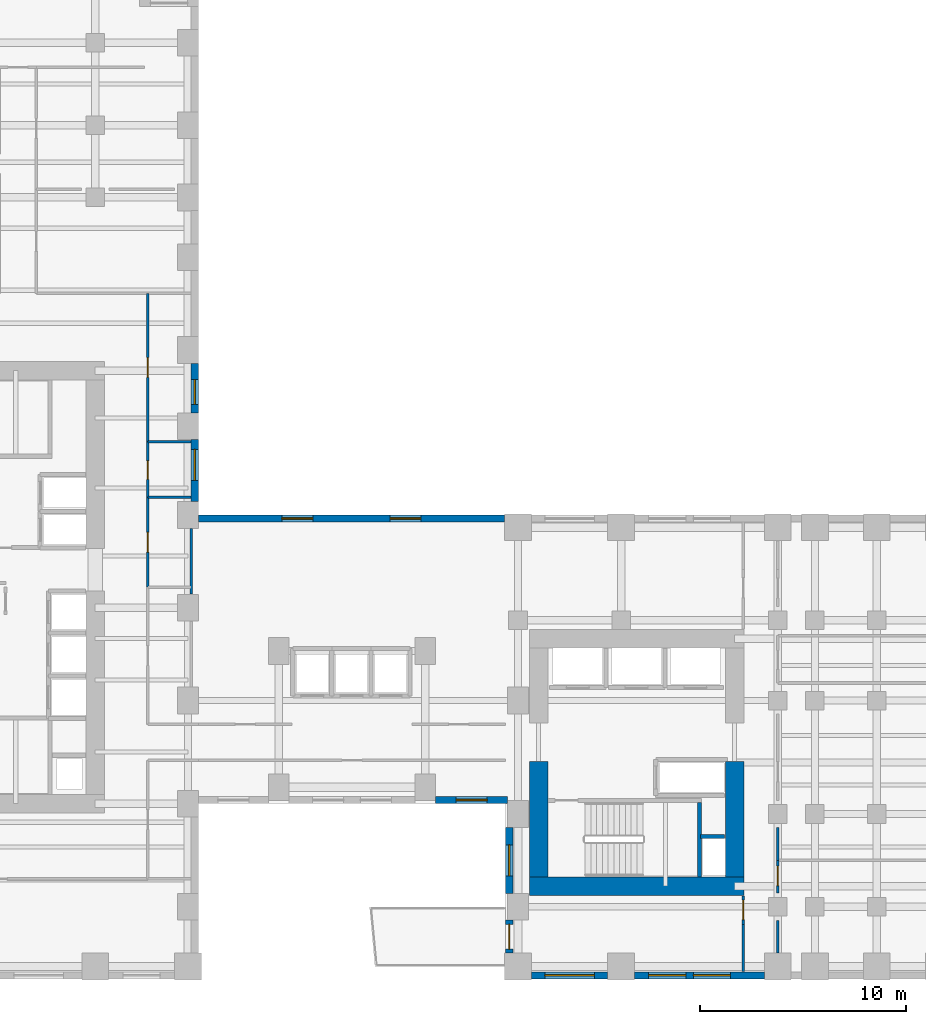
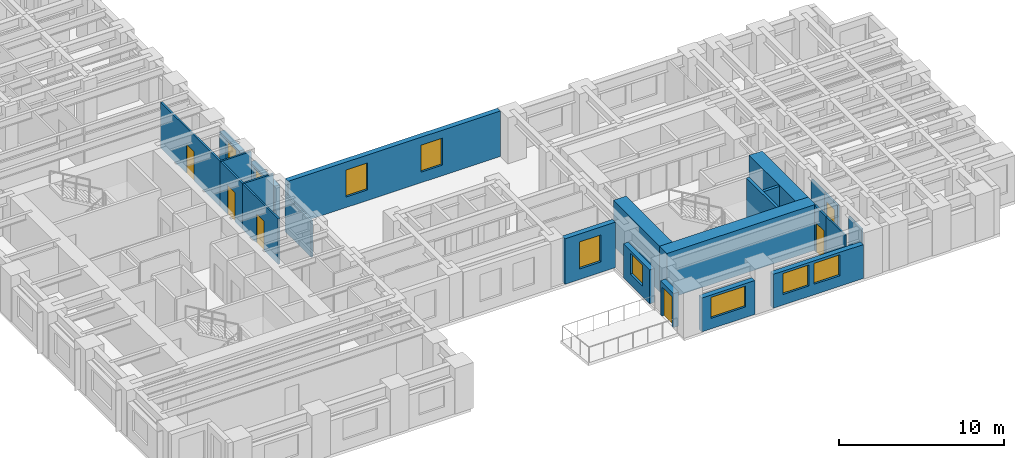
# One storey, part 6 of 12: 24 walls, 9 windows, 6 doors, 15 openings.
"""IFC4 building model written with IfcOpenShell, lengths in metres."""

from ifc_helpers import new_model, si_unit, direction, frame, frame_2d, origin, place, context, subcontext, project, spatial, rectangle, extrude, source, transform, mapped, material, layer, layer_set, type_object, element, fill, save


model = new_model("IFC4")

# Units and contexts
model_context = context("Model", 3, precision=1e-05, world=origin(), true_north=direction((0.0, 1.0)))
body_context = subcontext(model_context, "Body", "Model", "MODEL_VIEW")
ifc_project = project(units=[si_unit("LENGTHUNIT", "METRE"), si_unit("AREAUNIT", "SQUARE_METRE"), si_unit("VOLUMEUNIT", "CUBIC_METRE"), si_unit("PLANEANGLEUNIT", "RADIAN"), si_unit("MASSUNIT", "GRAM", prefix="KILO")], contexts=[model_context])

# Site, building, storey
site_placement = place(None, origin())
site = spatial("IfcSite", under=ifc_project, at=site_placement, CompositionType="ELEMENT")
building_placement = place(site_placement, origin())
building = spatial("IfcBuilding", under=site, at=building_placement, Name="Kharzan Plaza Tower", CompositionType="ELEMENT")
storey_placement = place(building_placement, frame((0.0, 0.0, 33.300048828125)))
storey = spatial("IfcBuildingStorey", under=building, at=storey_placement, Name="L08", CompositionType="ELEMENT", Elevation=33.300048828125)

# Wall, opening, window
ifc_material_1 = material(Name="Concrete C40/50", Category="concrete")
ifc_layer_1 = layer(ifc_material_1, 0.35009765625)
ifc_layer_set_1 = layer_set([ifc_layer_1], Name="Concrete C40/50")
wall_type_1 = type_object("IfcWallType", Name="WL-EXT-MAS-Z1", PredefinedType="SOLIDWALL", material=ifc_layer_set_1)
wall_1_placement = place(storey_placement, frame((30.998046875, 8.675048828125, 0.0), z_axis=(0.0, 0.0, 1.0), x_axis=(1.0, 0.0, 0.0)))
wall_1 = element("IfcWall", 1, at=wall_1_placement, inside=storey, type_object=wall_type_1, Name="L08 Masonry-Frame Exterior Wall 30", PredefinedType="SOLIDWALL", context=body_context, shape_type="SweptSolid", body=[
    extrude(rectangle(XDim=3.50390625, YDim=0.35009765625, at=frame_2d((1.751953125, 0.0))), origin(), (0.0, 0.0, 1.0), 3.364990234375),
])
opening_1_placement = place(wall_1_placement, frame((1.001953125, 0.0, 0.780029296875)))
opening_1 = element("IfcOpeningElement", 2, at=opening_1_placement, cuts=wall_1, Name="Opening W5", PredefinedType="OPENING", context=body_context, shape_type="SweptSolid", body=[
    extrude(rectangle(XDim=1.5, YDim=2.0, at=frame_2d((0.75, 1.0))), frame((0.0, 0.18505859375, 0.0), z_axis=(0.0, -1.0, 0.0), x_axis=(1.0, 0.0, 0.0)), (0.0, 0.0, 1.0), 0.3701171875),
])
ifc_material_2 = material(Name="Low-E Double Glazing", Category="glass")
window_type_1 = type_object("IfcWindowType", Name="WN-SLT-1500x2000", PartitioningType="SINGLE_PANEL", PredefinedType="WINDOW", material=ifc_material_2)
shared_shape_1 = source(origin(), body_context, "Body", "SweptSolid", [
    extrude(rectangle(XDim=1.5, YDim=2.0, at=frame_2d((0.75, 1.0))), frame((0.0, 0.030029296875, 0.0), z_axis=(0.0, -1.0, 0.0), x_axis=(1.0, 0.0, 0.0)), (0.0, 0.0, 1.0), 0.06005859375),
])
window_1_placement = place(opening_1_placement, origin())
window_1 = element("IfcWindow", 3, at=window_1_placement, inside=storey, type_object=window_type_1, Name="L08 Recessed Solar-Control Window 30-1", OverallHeight=2.0, OverallWidth=1.5, PartitioningType="SINGLE_PANEL", PredefinedType="WINDOW", context=body_context, shape_type="MappedRepresentation", body=[
    mapped(shared_shape_1, transform((0.0, 0.0, 0.0), x_axis=(1.0, 0.0, 0.0), y_axis=(0.0, 1.0, 0.0), z_axis=(0.0, 0.0, 1.0))),
])
fill(opening_1, window_1)

wall_2_placement = place(storey_placement, frame((34.574951171875, 7.35205078125, 0.0), z_axis=(0.0, 0.0, 1.0), x_axis=(0.0, -1.0, 0.0)))
wall_2 = element("IfcWall", 4, at=wall_2_placement, inside=storey, type_object=wall_type_1, Name="L08 Masonry-Frame Exterior Wall 31", PredefinedType="SOLIDWALL", context=body_context, shape_type="SweptSolid", body=[
    extrude(rectangle(XDim=3.2041015625, YDim=0.35009765625, at=frame_2d((1.60205078125, 0.0))), origin(), (0.0, 0.0, 1.0), 2.510009765625),
])
opening_2_placement = place(wall_2_placement, frame((0.85205078125, 0.0, 0.780029296875)))
opening_2 = element("IfcOpeningElement", 5, at=opening_2_placement, cuts=wall_2, Name="Opening W5", PredefinedType="OPENING", context=body_context, shape_type="SweptSolid", body=[
    extrude(rectangle(XDim=1.5, YDim=1.550048828125, at=frame_2d((0.75, 0.77490234375))), frame((0.0, 0.18505859375, 0.0), z_axis=(0.0, -1.0, 0.0), x_axis=(1.0, 0.0, 0.0)), (0.0, 0.0, 1.0), 0.3701171875),
])
shared_shape_2 = source(origin(), body_context, "Body", "SweptSolid", [
    extrude(rectangle(XDim=1.5, YDim=1.550048828125, at=frame_2d((0.75, 0.77490234375))), frame((0.0, 0.030029296875, 0.0), z_axis=(0.0, -1.0, 0.0), x_axis=(1.0, 0.0, 0.0)), (0.0, 0.0, 1.0), 0.06005859375),
])
window_2_placement = place(opening_2_placement, origin())
window_2 = element("IfcWindow", 6, at=window_2_placement, inside=storey, type_object=window_type_1, Name="L08 Recessed Solar-Control Window 31-1", OverallHeight=1.550048828125, OverallWidth=1.5, PartitioningType="SINGLE_PANEL", PredefinedType="WINDOW", context=body_context, shape_type="MappedRepresentation", body=[
    mapped(shared_shape_2, transform((0.0, 0.0, 0.0), x_axis=(1.0, 0.0, 0.0), y_axis=(0.0, 1.0, 0.0), z_axis=(0.0, 0.0, 1.0))),
])
fill(opening_2, window_2)

# Wall, opening, door
wall_3_placement = place(storey_placement, frame((34.574951171875, 2.85205078125, 0.0), z_axis=(0.0, 0.0, 1.0), x_axis=(0.0, -1.0, 0.0)))
wall_3 = element("IfcWall", 7, at=wall_3_placement, inside=storey, type_object=wall_type_1, Name="L08 Masonry-Frame Exterior Wall 32", PredefinedType="SOLIDWALL", context=body_context, shape_type="SweptSolid", body=[
    extrude(rectangle(XDim=1.60400390625, YDim=0.35009765625, at=frame_2d((0.802001953125, 0.0))), origin(), (0.0, 0.0, 1.0), 2.510009765625),
])
opening_3_placement = place(wall_3_placement, frame((0.201904296875, 0.0, 0.0)))
opening_3 = element("IfcOpeningElement", 8, at=opening_3_placement, cuts=wall_3, Name="Opening ED3", PredefinedType="OPENING", context=body_context, shape_type="SweptSolid", body=[
    extrude(rectangle(XDim=1.199951171875, YDim=2.14990234375, at=frame_2d((0.60009765625, 1.074951171875))), frame((0.0, 0.18505859375, 0.0), z_axis=(0.0, -1.0, 0.0), x_axis=(1.0, 0.0, 0.0)), (0.0, 0.0, 1.0), 0.3701171875),
])
ifc_material_3 = material(Name="Thermally Broken Anodized Bronze Aluminium", Category="aluminium")
door_type_1 = type_object("IfcDoorType", Name="DR-EXT-TRAY-1200", OperationType="SINGLE_SWING_LEFT", PredefinedType="DOOR", material=ifc_material_3)
shared_shape_3 = source(origin(), body_context, "Body", "SweptSolid", [
    extrude(rectangle(XDim=1.199951171875, YDim=2.14990234375, at=frame_2d((0.60009765625, 1.074951171875))), frame((0.0, 0.02490234375, 0.0), z_axis=(0.0, -1.0, 0.0), x_axis=(1.0, 0.0, 0.0)), (0.0, 0.0, 1.0), 0.050048828125),
])
door_1_placement = place(opening_3_placement, frame((1.199951171875, 0.0, 0.0), z_axis=(0.0, 0.0, 1.0), x_axis=(-1.0, 0.0, 0.0)))
door_1 = element("IfcDoor", 9, at=door_1_placement, inside=storey, type_object=door_type_1, Name="L08 Cantilevered Sky-Terrace Tray Access Door", OperationType="SINGLE_SWING_LEFT", OverallHeight=2.14990234375, OverallWidth=1.199951171875, PredefinedType="DOOR", context=body_context, shape_type="MappedRepresentation", body=[
    mapped(shared_shape_3, transform((0.0, 0.0, 0.0), x_axis=(1.0, 0.0, 0.0), y_axis=(0.0, 1.0, 0.0), z_axis=(0.0, 0.0, 1.0))),
])
fill(opening_3, door_1)

# Wall, opening, window
wall_4_placement = place(storey_placement, frame((35.64794921875, 0.175048828125, 0.0), z_axis=(0.0, 0.0, 1.0), x_axis=(1.0, 0.0, 0.0)))
wall_4 = element("IfcWall", 10, at=wall_4_placement, inside=storey, type_object=wall_type_1, Name="L08 Masonry-Frame Exterior Wall 33", PredefinedType="SOLIDWALL", context=body_context, shape_type="SweptSolid", body=[
    extrude(rectangle(XDim=3.7041015625, YDim=0.35009765625, at=frame_2d((1.85205078125, 0.0))), origin(), (0.0, 0.0, 1.0), 2.510009765625),
])
opening_4_placement = place(wall_4_placement, frame((0.652099609375, 0.0, 0.780029296875)))
opening_4 = element("IfcOpeningElement", 11, at=opening_4_placement, cuts=wall_4, Name="Opening W2", PredefinedType="OPENING", context=body_context, shape_type="SweptSolid", body=[
    extrude(rectangle(XDim=2.39990234375, YDim=1.550048828125, at=frame_2d((1.199951171875, 0.77490234375))), frame((0.0, 0.18505859375, 0.0), z_axis=(0.0, -1.0, 0.0), x_axis=(1.0, 0.0, 0.0)), (0.0, 0.0, 1.0), 0.3701171875),
])
window_type_2 = type_object("IfcWindowType", Name="WN-REC-2400x2100", PartitioningType="SINGLE_PANEL", PredefinedType="WINDOW", material=ifc_material_2)
shared_shape_4 = source(origin(), body_context, "Body", "SweptSolid", [
    extrude(rectangle(XDim=2.39990234375, YDim=1.550048828125, at=frame_2d((1.199951171875, 0.77490234375))), frame((0.0, 0.030029296875, 0.0), z_axis=(0.0, -1.0, 0.0), x_axis=(1.0, 0.0, 0.0)), (0.0, 0.0, 1.0), 0.06005859375),
])
window_3_placement = place(opening_4_placement, origin())
window_3 = element("IfcWindow", 12, at=window_3_placement, inside=storey, type_object=window_type_2, Name="L08 Wide Recessed Solar-Control Window 33-1", OverallHeight=1.550048828125, OverallWidth=2.39990234375, PartitioningType="SINGLE_PANEL", PredefinedType="WINDOW", context=body_context, shape_type="MappedRepresentation", body=[
    mapped(shared_shape_4, transform((0.0, 0.0, 0.0), x_axis=(1.0, 0.0, 0.0), y_axis=(0.0, 1.0, 0.0), z_axis=(0.0, 0.0, 1.0))),
])
fill(opening_4, window_3)

# Wall, openings, windows
wall_5_placement = place(storey_placement, frame((40.64794921875, 0.175048828125, 0.0), z_axis=(0.0, 0.0, 1.0), x_axis=(1.0, 0.0, 0.0)))
wall_5 = element("IfcWall", 13, at=wall_5_placement, inside=storey, type_object=wall_type_1, Name="L08 Masonry-Frame Exterior Wall 34", PredefinedType="SOLIDWALL", context=body_context, shape_type="SweptSolid", body=[
    extrude(rectangle(XDim=6.303955078125, YDim=0.35009765625, at=frame_2d((3.15185546875, 0.0))), origin(), (0.0, 0.0, 1.0), 2.510009765625),
])
opening_5_placement = place(wall_5_placement, frame((0.687255859375, 0.0, 0.780029296875)))
opening_5 = element("IfcOpeningElement", 14, at=opening_5_placement, cuts=wall_5, Name="Opening W1", PredefinedType="OPENING", context=body_context, shape_type="SweptSolid", body=[
    extrude(rectangle(XDim=1.800048828125, YDim=1.550048828125, at=frame_2d((0.89990234375, 0.77490234375))), frame((0.0, 0.18505859375, 0.0), z_axis=(0.0, -1.0, 0.0), x_axis=(1.0, 0.0, 0.0)), (0.0, 0.0, 1.0), 0.3701171875),
])
opening_6_placement = place(wall_5_placement, frame((2.854736328125, 0.0, 0.780029296875)))
opening_6 = element("IfcOpeningElement", 15, at=opening_6_placement, cuts=wall_5, Name="Opening W1", PredefinedType="OPENING", context=body_context, shape_type="SweptSolid", body=[
    extrude(rectangle(XDim=1.800048828125, YDim=1.550048828125, at=frame_2d((0.89990234375, 0.77490234375))), frame((0.0, 0.18505859375, 0.0), z_axis=(0.0, -1.0, 0.0), x_axis=(1.0, 0.0, 0.0)), (0.0, 0.0, 1.0), 0.3701171875),
])
window_type_3 = type_object("IfcWindowType", Name="WN-REC-1800x2100", PartitioningType="SINGLE_PANEL", PredefinedType="WINDOW", material=ifc_material_2)
shared_shape_5 = source(origin(), body_context, "Body", "SweptSolid", [
    extrude(rectangle(XDim=1.800048828125, YDim=1.550048828125, at=frame_2d((0.89990234375, 0.77490234375))), frame((0.0, 0.030029296875, 0.0), z_axis=(0.0, -1.0, 0.0), x_axis=(1.0, 0.0, 0.0)), (0.0, 0.0, 1.0), 0.06005859375),
])
window_4_placement = place(opening_5_placement, origin())
window_4 = element("IfcWindow", 16, at=window_4_placement, inside=storey, type_object=window_type_3, Name="L08 Recessed Solar-Control Window 34-1", OverallHeight=1.550048828125, OverallWidth=1.800048828125, PartitioningType="SINGLE_PANEL", PredefinedType="WINDOW", context=body_context, shape_type="MappedRepresentation", body=[
    mapped(shared_shape_5, transform((0.0, 0.0, 0.0), x_axis=(1.0, 0.0, 0.0), y_axis=(0.0, 1.0, 0.0), z_axis=(0.0, 0.0, 1.0))),
])
fill(opening_5, window_4)
window_5_placement = place(opening_6_placement, origin())
window_5 = element("IfcWindow", 17, at=window_5_placement, inside=storey, type_object=window_type_3, Name="L08 Recessed Solar-Control Window 34-2", OverallHeight=1.550048828125, OverallWidth=1.800048828125, PartitioningType="SINGLE_PANEL", PredefinedType="WINDOW", context=body_context, shape_type="MappedRepresentation", body=[
    mapped(shared_shape_5, transform((0.0, 0.0, 0.0), x_axis=(1.0, 0.0, 0.0), y_axis=(0.0, 1.0, 0.0), z_axis=(0.0, 0.0, 1.0))),
])
fill(opening_6, window_5)

wall_6_placement = place(storey_placement, frame((34.35205078125, 22.324951171875, 0.0), z_axis=(0.0, 0.0, 1.0), x_axis=(-1.0, 0.0, 0.0)))
wall_6 = element("IfcWall", 18, at=wall_6_placement, inside=storey, type_object=wall_type_1, Name="L08 Masonry-Frame Exterior Wall 53", PredefinedType="SOLIDWALL", context=body_context, shape_type="SweptSolid", body=[
    extrude(rectangle(XDim=14.85400390625, YDim=0.35009765625, at=frame_2d((7.427001953125, 0.0))), origin(), (0.0, 0.0, 1.0), 3.364990234375),
])
opening_7_placement = place(wall_6_placement, frame((4.05810546875, 0.0, 0.780029296875)))
opening_7 = element("IfcOpeningElement", 19, at=opening_7_placement, cuts=wall_6, Name="Opening W5", PredefinedType="OPENING", context=body_context, shape_type="SweptSolid", body=[
    extrude(rectangle(XDim=1.5, YDim=2.0, at=frame_2d((0.75, 1.0))), frame((0.0, 0.18505859375, 0.0), z_axis=(0.0, -1.0, 0.0), x_axis=(1.0, 0.0, 0.0)), (0.0, 0.0, 1.0), 0.3701171875),
])
opening_8_placement = place(wall_6_placement, frame((9.2958984375, 0.0, 0.780029296875)))
opening_8 = element("IfcOpeningElement", 20, at=opening_8_placement, cuts=wall_6, Name="Opening W5", PredefinedType="OPENING", context=body_context, shape_type="SweptSolid", body=[
    extrude(rectangle(XDim=1.5, YDim=2.0, at=frame_2d((0.75, 1.0))), frame((0.0, 0.18505859375, 0.0), z_axis=(0.0, -1.0, 0.0), x_axis=(1.0, 0.0, 0.0)), (0.0, 0.0, 1.0), 0.3701171875),
])
window_6_placement = place(opening_7_placement, origin())
window_6 = element("IfcWindow", 21, at=window_6_placement, inside=storey, type_object=window_type_1, Name="L08 Recessed Solar-Control Window 53-1", OverallHeight=2.0, OverallWidth=1.5, PartitioningType="SINGLE_PANEL", PredefinedType="WINDOW", context=body_context, shape_type="MappedRepresentation", body=[
    mapped(shared_shape_1, transform((0.0, 0.0, 0.0), x_axis=(1.0, 0.0, 0.0), y_axis=(0.0, 1.0, 0.0), z_axis=(0.0, 0.0, 1.0))),
])
fill(opening_7, window_6)
window_7_placement = place(opening_8_placement, origin())
window_7 = element("IfcWindow", 22, at=window_7_placement, inside=storey, type_object=window_type_1, Name="L08 Recessed Solar-Control Window 53-2", OverallHeight=2.0, OverallWidth=1.5, PartitioningType="SINGLE_PANEL", PredefinedType="WINDOW", context=body_context, shape_type="MappedRepresentation", body=[
    mapped(shared_shape_1, transform((0.0, 0.0, 0.0), x_axis=(1.0, 0.0, 0.0), y_axis=(0.0, 1.0, 0.0), z_axis=(0.0, 0.0, 1.0))),
])
fill(opening_8, window_7)

# Wall, opening, window
wall_7_placement = place(storey_placement, frame((19.324951171875, 23.14794921875, 0.0), z_axis=(0.0, 0.0, 1.0), x_axis=(0.0, 1.0, 0.0)))
wall_7 = element("IfcWall", 23, at=wall_7_placement, inside=storey, type_object=wall_type_1, Name="L08 Masonry-Frame Exterior Wall 54", PredefinedType="SOLIDWALL", context=body_context, shape_type="SweptSolid", body=[
    extrude(rectangle(XDim=3.004150390625, YDim=0.35009765625, at=frame_2d((1.501953125, 0.0))), origin(), (0.0, 0.0, 1.0), 2.510009765625),
])
opening_9_placement = place(wall_7_placement, frame((1.030517578125, 0.0, 0.780029296875)))
opening_9 = element("IfcOpeningElement", 24, at=opening_9_placement, cuts=wall_7, Name="Opening W5", PredefinedType="OPENING", context=body_context, shape_type="SweptSolid", body=[
    extrude(rectangle(XDim=1.5, YDim=1.550048828125, at=frame_2d((0.75, 0.77490234375))), frame((0.0, 0.18505859375, 0.0), z_axis=(0.0, -1.0, 0.0), x_axis=(1.0, 0.0, 0.0)), (0.0, 0.0, 1.0), 0.3701171875),
])
window_8_placement = place(opening_9_placement, origin())
window_8 = element("IfcWindow", 25, at=window_8_placement, inside=storey, type_object=window_type_1, Name="L08 Recessed Solar-Control Window 54-1", OverallHeight=1.550048828125, OverallWidth=1.5, PartitioningType="SINGLE_PANEL", PredefinedType="WINDOW", context=body_context, shape_type="MappedRepresentation", body=[
    mapped(shared_shape_2, transform((0.0, 0.0, 0.0), x_axis=(1.0, 0.0, 0.0), y_axis=(0.0, 1.0, 0.0), z_axis=(0.0, 0.0, 1.0))),
])
fill(opening_9, window_8)

wall_8_placement = place(storey_placement, frame((19.324951171875, 27.447998046875, 0.0), z_axis=(0.0, 0.0, 1.0), x_axis=(0.0, 1.0, 0.0)))
wall_8 = element("IfcWall", 26, at=wall_8_placement, inside=storey, type_object=wall_type_1, Name="L08 Masonry-Frame Exterior Wall 55", PredefinedType="SOLIDWALL", context=body_context, shape_type="SweptSolid", body=[
    extrude(rectangle(XDim=2.404052734375, YDim=0.35009765625, at=frame_2d((1.2021484375, 0.0))), origin(), (0.0, 0.0, 1.0), 2.510009765625),
])
opening_10_placement = place(wall_8_placement, frame((0.417236328125, 0.0, 0.780029296875)))
opening_10 = element("IfcOpeningElement", 27, at=opening_10_placement, cuts=wall_8, Name="Opening W3", PredefinedType="OPENING", context=body_context, shape_type="SweptSolid", body=[
    extrude(rectangle(XDim=1.199951171875, YDim=1.550048828125, at=frame_2d((0.60009765625, 0.77490234375))), frame((0.0, 0.18505859375, 0.0), z_axis=(0.0, -1.0, 0.0), x_axis=(1.0, 0.0, 0.0)), (0.0, 0.0, 1.0), 0.3701171875),
])
window_type_4 = type_object("IfcWindowType", Name="WN-REC-1200x2100", PartitioningType="SINGLE_PANEL", PredefinedType="WINDOW", material=ifc_material_2)
shared_shape_6 = source(origin(), body_context, "Body", "SweptSolid", [
    extrude(rectangle(XDim=1.199951171875, YDim=1.550048828125, at=frame_2d((0.60009765625, 0.77490234375))), frame((0.0, 0.030029296875, 0.0), z_axis=(0.0, -1.0, 0.0), x_axis=(1.0, 0.0, 0.0)), (0.0, 0.0, 1.0), 0.06005859375),
])
window_9_placement = place(opening_10_placement, origin())
window_9 = element("IfcWindow", 28, at=window_9_placement, inside=storey, type_object=window_type_4, Name="L08 Recessed Solar-Control Window 55-1", OverallHeight=1.550048828125, OverallWidth=1.199951171875, PartitioningType="SINGLE_PANEL", PredefinedType="WINDOW", context=body_context, shape_type="MappedRepresentation", body=[
    mapped(shared_shape_6, transform((0.0, 0.0, 0.0), x_axis=(1.0, 0.0, 0.0), y_axis=(0.0, 1.0, 0.0), z_axis=(0.0, 0.0, 1.0))),
])
fill(opening_10, window_9)

# Wall, opening, door
ifc_material_4 = material(Name="Fire-Rated Gypsum Board Partition", Category="gypsum")
ifc_layer_2 = layer(ifc_material_4, 0.125)
ifc_layer_set_2 = layer_set([ifc_layer_2], Name="Fire-Rated Gypsum Board Partition")
wall_type_2 = type_object("IfcWallType", Name="WL-INT-PART-125", PredefinedType="PARTITIONING", material=ifc_layer_set_2)
wall_9_placement = place(storey_placement, frame((17.050048828125, 19.0, 0.0), z_axis=(0.0, 0.0, 1.0), x_axis=(0.0, 1.0, 0.0)))
wall_9 = element("IfcWall", 29, at=wall_9_placement, inside=storey, type_object=wall_type_2, Name="L08 Interior Partition SH-AEWN2", PredefinedType="PARTITIONING", context=body_context, shape_type="SweptSolid", body=[
    extrude(rectangle(XDim=4.35009765625, YDim=0.125, at=frame_2d((2.175048828125, 0.0))), origin(), (0.0, 0.0, 1.0), 3.364990234375),
])
opening_11_placement = place(wall_9_placement, frame((1.699951171875, 0.0, 0.0)))
opening_11 = element("IfcOpeningElement", 30, at=opening_11_placement, cuts=wall_9, Name="Opening OD1", PredefinedType="OPENING", context=body_context, shape_type="SweptSolid", body=[
    extrude(rectangle(XDim=0.949951171875, YDim=2.14990234375, at=frame_2d((0.47509765625, 1.074951171875))), frame((0.0, 0.072509765625, 0.0), z_axis=(0.0, -1.0, 0.0), x_axis=(1.0, 0.0, 0.0)), (0.0, 0.0, 1.0), 0.14501953125),
])
ifc_material_5 = material(Name="Acoustic Solid-Core Stained Oak", Category="timber")
door_type_2 = type_object("IfcDoorType", Name="DR-OFF-SINGLE", OperationType="NOTDEFINED", PredefinedType="DOOR", material=ifc_material_5)
shared_shape_7 = source(origin(), body_context, "Body", "SweptSolid", [
    extrude(rectangle(XDim=0.949951171875, YDim=2.14990234375, at=frame_2d((0.47509765625, 1.074951171875))), frame((0.0, 0.02490234375, 0.0), z_axis=(0.0, -1.0, 0.0), x_axis=(1.0, 0.0, 0.0)), (0.0, 0.0, 1.0), 0.050048828125),
])
door_2_placement = place(opening_11_placement, origin())
door_2 = element("IfcDoor", 31, at=door_2_placement, inside=storey, type_object=door_type_2, Name="L08 Slot Studio Door", OperationType="SINGLE_SWING_RIGHT", OverallHeight=2.14990234375, OverallWidth=0.949951171875, PredefinedType="DOOR", context=body_context, shape_type="MappedRepresentation", body=[
    mapped(shared_shape_7, transform((0.0, 0.0, 0.0), x_axis=(1.0, 0.0, 0.0), y_axis=(0.0, 1.0, 0.0), z_axis=(0.0, 0.0, 1.0))),
])
fill(opening_11, door_2)

wall_10_placement = place(storey_placement, frame((17.050048828125, 26.050048828125, 0.0), z_axis=(0.0, 0.0, 1.0), x_axis=(0.0, 1.0, 0.0)))
wall_10 = element("IfcWall", 32, at=wall_10_placement, inside=storey, type_object=wall_type_2, Name="L08 Interior Partition SH-AEWN3", PredefinedType="PARTITIONING", context=body_context, shape_type="SweptSolid", body=[
    extrude(rectangle(XDim=7.199951171875, YDim=0.125, at=frame_2d((3.60009765625, 0.0))), origin(), (0.0, 0.0, 1.0), 3.364990234375),
])
opening_12_placement = place(wall_10_placement, frame((3.125, 0.0, 0.0)))
opening_12 = element("IfcOpeningElement", 33, at=opening_12_placement, cuts=wall_10, Name="Opening OD1", PredefinedType="OPENING", context=body_context, shape_type="SweptSolid", body=[
    extrude(rectangle(XDim=0.949951171875, YDim=2.14990234375, at=frame_2d((0.47509765625, 1.074951171875))), frame((0.0, 0.072509765625, 0.0), z_axis=(0.0, -1.0, 0.0), x_axis=(1.0, 0.0, 0.0)), (0.0, 0.0, 1.0), 0.14501953125),
])
door_3_placement = place(opening_12_placement, origin())
door_3 = element("IfcDoor", 34, at=door_3_placement, inside=storey, type_object=door_type_2, Name="L08 Staff Tea Point Door", OperationType="SINGLE_SWING_RIGHT", OverallHeight=2.14990234375, OverallWidth=0.949951171875, PredefinedType="DOOR", context=body_context, shape_type="MappedRepresentation", body=[
    mapped(shared_shape_7, transform((0.0, 0.0, 0.0), x_axis=(1.0, 0.0, 0.0), y_axis=(0.0, 1.0, 0.0), z_axis=(0.0, 0.0, 1.0))),
])
fill(opening_12, door_3)

wall_11_placement = place(storey_placement, frame((17.050048828125, 23.35009765625, 0.0), z_axis=(0.0, 0.0, 1.0), x_axis=(0.0, 1.0, 0.0)))
wall_11 = element("IfcWall", 35, at=wall_11_placement, inside=storey, type_object=wall_type_2, Name="L08 Interior Partition SH-AEWW", PredefinedType="PARTITIONING", context=body_context, shape_type="SweptSolid", body=[
    extrude(rectangle(XDim=2.699951171875, YDim=0.125, at=frame_2d((1.35009765625, 0.0))), origin(), (0.0, 0.0, 1.0), 3.364990234375),
])
opening_13_placement = place(wall_11_placement, frame((0.875, 0.0, 0.0)))
opening_13 = element("IfcOpeningElement", 36, at=opening_13_placement, cuts=wall_11, Name="Opening WD1", PredefinedType="OPENING", context=body_context, shape_type="SweptSolid", body=[
    extrude(rectangle(XDim=0.89990234375, YDim=2.14990234375, at=frame_2d((0.449951171875, 1.074951171875))), frame((0.0, 0.072509765625, 0.0), z_axis=(0.0, -1.0, 0.0), x_axis=(1.0, 0.0, 0.0)), (0.0, 0.0, 1.0), 0.14501953125),
])
ifc_material_6 = material(Name="Moisture-Resistant Fire-Rated Laminate", Category="timber")
door_type_3 = type_object("IfcDoorType", Name="DR-WC-900", OperationType="NOTDEFINED", PredefinedType="DOOR", material=ifc_material_6)
shared_shape_8 = source(origin(), body_context, "Body", "SweptSolid", [
    extrude(rectangle(XDim=0.89990234375, YDim=2.14990234375, at=frame_2d((0.449951171875, 1.074951171875))), frame((0.0, 0.02490234375, 0.0), z_axis=(0.0, -1.0, 0.0), x_axis=(1.0, 0.0, 0.0)), (0.0, 0.0, 1.0), 0.050048828125),
])
door_4_placement = place(opening_13_placement, origin())
door_4 = element("IfcDoor", 37, at=door_4_placement, inside=storey, type_object=door_type_3, Name="L08 Wing A Washroom Door", OperationType="SINGLE_SWING_LEFT", OverallHeight=2.14990234375, OverallWidth=0.89990234375, PredefinedType="DOOR", context=body_context, shape_type="MappedRepresentation", body=[
    mapped(shared_shape_8, transform((0.0, 0.0, 0.0), x_axis=(1.0, 0.0, 0.0), y_axis=(0.0, 1.0, 0.0), z_axis=(0.0, 0.0, 1.0))),
])
fill(opening_13, door_4)

wall_12_placement = place(storey_placement, frame((47.60009765625, 4.159912109375, 0.0), z_axis=(0.0, 0.0, 1.0), x_axis=(0.0, 1.0, 0.0)))
wall_12 = element("IfcWall", 38, at=wall_12_placement, inside=storey, type_object=wall_type_2, Name="L08 Interior Partition SH-B3W0", PredefinedType="PARTITIONING", context=body_context, shape_type="SweptSolid", body=[
    extrude(rectangle(XDim=1.590087890625, YDim=0.125, at=frame_2d((0.794921875, 0.0))), origin(), (0.0, 0.0, 1.0), 2.669921875),
])
opening_14_placement = place(wall_12_placement, frame((0.36669921875, 0.0, 0.0)))
opening_14 = element("IfcOpeningElement", 39, at=opening_14_placement, cuts=wall_12, Name="Opening OD1", PredefinedType="OPENING", context=body_context, shape_type="SweptSolid", body=[
    extrude(rectangle(XDim=0.949951171875, YDim=2.14990234375, at=frame_2d((0.47509765625, 1.074951171875))), frame((0.0, 0.072509765625, 0.0), z_axis=(0.0, -1.0, 0.0), x_axis=(1.0, 0.0, 0.0)), (0.0, 0.0, 1.0), 0.14501953125),
])
door_5_placement = place(opening_14_placement, origin())
door_5 = element("IfcDoor", 40, at=door_5_placement, inside=storey, type_object=door_type_2, Name="L08 Wing B Office 1 Door", OperationType="SINGLE_SWING_RIGHT", OverallHeight=2.14990234375, OverallWidth=0.949951171875, PredefinedType="DOOR", context=body_context, shape_type="MappedRepresentation", body=[
    mapped(shared_shape_7, transform((0.0, 0.0, 0.0), x_axis=(1.0, 0.0, 0.0), y_axis=(0.0, 1.0, 0.0), z_axis=(0.0, 0.0, 1.0))),
])
fill(opening_14, door_5)

wall_13_placement = place(storey_placement, frame((45.919921875, 2.64990234375, 0.0), z_axis=(0.0, 0.0, 1.0), x_axis=(0.0, 1.0, 0.0)))
wall_13 = element("IfcWall", 41, at=wall_13_placement, inside=storey, type_object=wall_type_2, Name="L08 Interior Partition SH-RBSE", PredefinedType="PARTITIONING", context=body_context, shape_type="SweptSolid", body=[
    extrude(rectangle(XDim=1.3701171875, YDim=0.125, at=frame_2d((0.68505859375, 0.0))), origin(), (0.0, 0.0, 1.0), 3.364990234375),
])
opening_15_placement = place(wall_13_placement, frame((0.22509765625, 0.0, 0.0)))
opening_15 = element("IfcOpeningElement", 42, at=opening_15_placement, cuts=wall_13, Name="Opening OD1", PredefinedType="OPENING", context=body_context, shape_type="SweptSolid", body=[
    extrude(rectangle(XDim=0.949951171875, YDim=2.14990234375, at=frame_2d((0.47509765625, 1.074951171875))), frame((0.0, 0.072509765625, 0.0), z_axis=(0.0, -1.0, 0.0), x_axis=(1.0, 0.0, 0.0)), (0.0, 0.0, 1.0), 0.14501953125),
])
door_6_placement = place(opening_15_placement, origin())
door_6 = element("IfcDoor", 43, at=door_6_placement, inside=storey, type_object=door_type_2, Name="L08 South-East Corner Office Door", OperationType="SINGLE_SWING_RIGHT", OverallHeight=2.14990234375, OverallWidth=0.949951171875, PredefinedType="DOOR", context=body_context, shape_type="MappedRepresentation", body=[
    mapped(shared_shape_7, transform((0.0, 0.0, 0.0), x_axis=(1.0, 0.0, 0.0), y_axis=(0.0, 1.0, 0.0), z_axis=(0.0, 0.0, 1.0))),
])
fill(opening_15, door_6)

# Walls
ifc_material_7 = material(Name="Concrete C60/75", Category="concrete")
ifc_layer_3 = layer(ifc_material_7, 0.89990234375)
ifc_layer_set_3 = layer_set([ifc_layer_3], Name="Concrete C60/75")
wall_type_3 = type_object("IfcWallType", Name="WL-CORE-900", PredefinedType="SHEAR", material=ifc_layer_set_3)
shared_shape_9 = source(origin(), body_context, "Body", "SweptSolid", [
    extrude(rectangle(XDim=5.60009765625, YDim=0.89990234375, at=frame_2d((2.800048828125, 0.0))), origin(), (0.0, 0.0, 1.0), 3.3798828125),
])
for number, where, z_axis, x_axis, name in (
    (44, (45.5, 4.949951171875, 0.0), (0.0, 0.0, 1.0), (0.0, 1.0, 0.0), "L08 CORE-B east shear pier 1"),
    (45, (36.0, 4.949951171875, 0.0), (0.0, 0.0, 1.0), (0.0, 1.0, 0.0), "L08 CORE-B west shear pier 1"),
):
    element("IfcWall", number, at=place(storey_placement, frame(where, z_axis=z_axis, x_axis=x_axis)), inside=storey, type_object=wall_type_3, Name=name, PredefinedType="SHEAR", context=body_context, shape_type="MappedRepresentation", body=[
        mapped(shared_shape_9, transform((0.0, 0.0, 0.0), x_axis=(1.0, 0.0, 0.0), y_axis=(0.0, 1.0, 0.0), z_axis=(0.0, 0.0, 1.0))),
    ])
shared_shape_10 = source(origin(), body_context, "Body", "SweptSolid", [
    extrude(rectangle(XDim=10.39990234375, YDim=0.89990234375, at=frame_2d((5.199951171875, 0.0))), origin(), (0.0, 0.0, 1.0), 3.3798828125),
])
wall_14_placement = place(storey_placement, frame((35.550048828125, 4.5, 0.0), z_axis=(0.0, 0.0, 1.0), x_axis=(1.0, 0.0, 0.0)))
element("IfcWall", 46, at=wall_14_placement, inside=storey, type_object=wall_type_3, Name="L08 CORE-B south RC shear wall", PredefinedType="SHEAR", context=body_context, shape_type="MappedRepresentation", body=[
    mapped(shared_shape_10, transform((0.0, 0.0, 0.0), x_axis=(1.0, 0.0, 0.0), y_axis=(0.0, 1.0, 0.0), z_axis=(0.0, 0.0, 1.0))),
])
shared_shape_11 = source(origin(), body_context, "Body", "SweptSolid", [
    extrude(rectangle(XDim=3.18017578125, YDim=0.125, at=frame_2d((1.590087890625, 0.0))), origin(), (0.0, 0.0, 1.0), 2.669921875),
])
wall_15_placement = place(storey_placement, frame((19.14990234375, 18.659912109375, 0.0), z_axis=(0.0, 0.0, 1.0), x_axis=(0.0, 1.0, 0.0)))
element("IfcWall", 47, at=wall_15_placement, inside=storey, type_object=wall_type_2, Name="L08 Interior Partition SH-AEN-DIV-S2", PredefinedType="PARTITIONING", context=body_context, shape_type="MappedRepresentation", body=[
    mapped(shared_shape_11, transform((0.0, 0.0, 0.0), x_axis=(1.0, 0.0, 0.0), y_axis=(0.0, 1.0, 0.0), z_axis=(0.0, 0.0, 1.0))),
])
shared_shape_12 = source(origin(), body_context, "Body", "SweptSolid", [
    extrude(rectangle(XDim=1.580078125, YDim=0.125, at=frame_2d((0.7900390625, 0.0))), origin(), (0.0, 0.0, 1.0), 2.669921875),
])
wall_16_placement = place(storey_placement, frame((47.60009765625, 1.260009765625, 0.0), z_axis=(0.0, 0.0, 1.0), x_axis=(0.0, 1.0, 0.0)))
element("IfcWall", 48, at=wall_16_placement, inside=storey, type_object=wall_type_2, Name="L08 Interior Partition SH-B3W0S", PredefinedType="PARTITIONING", context=body_context, shape_type="MappedRepresentation", body=[
    mapped(shared_shape_12, transform((0.0, 0.0, 0.0), x_axis=(1.0, 0.0, 0.0), y_axis=(0.0, 1.0, 0.0), z_axis=(0.0, 0.0, 1.0))),
])
shared_shape_13 = source(origin(), body_context, "Body", "SweptSolid", [
    extrude(rectangle(XDim=2.2978515625, YDim=0.125, at=frame_2d((1.14892578125, 0.0))), origin(), (0.0, 0.0, 1.0), 3.364990234375),
])
wall_17_placement = place(storey_placement, frame((45.919921875, 0.35205078125, 0.0), z_axis=(0.0, 0.0, 1.0), x_axis=(0.0, 1.0, 0.0)))
element("IfcWall", 49, at=wall_17_placement, inside=storey, type_object=wall_type_2, Name="L08 Interior Partition SH-RBSE0", PredefinedType="PARTITIONING", context=body_context, shape_type="MappedRepresentation", body=[
    mapped(shared_shape_13, transform((0.0, 0.0, 0.0), x_axis=(1.0, 0.0, 0.0), y_axis=(0.0, 1.0, 0.0), z_axis=(0.0, 0.0, 1.0))),
])
ifc_layer_4 = layer(ifc_material_1, 0.199951171875)
ifc_layer_set_4 = layer_set([ifc_layer_4], Name="Concrete C40/50")
wall_type_4 = type_object("IfcWallType", Name="WL-INT-SHAFT-200", PredefinedType="PARTITIONING", material=ifc_layer_set_4)
shared_shape_14 = source(origin(), body_context, "Body", "SweptSolid", [
    extrude(rectangle(XDim=1.169921875, YDim=0.199951171875, at=frame_2d((0.5849609375, 0.0))), origin(), (0.0, 0.0, 1.0), 3.364990234375),
])
wall_18_placement = place(storey_placement, frame((43.85009765625, 6.89990234375, 0.0), z_axis=(0.0, 0.0, 1.0), x_axis=(1.0, 0.0, 0.0)))
element("IfcWall", 50, at=wall_18_placement, inside=storey, type_object=wall_type_4, Name="L08 Interior Partition CB-RSRB-N", PredefinedType="PARTITIONING", context=body_context, shape_type="MappedRepresentation", body=[
    mapped(shared_shape_14, transform((0.0, 0.0, 0.0), x_axis=(1.0, 0.0, 0.0), y_axis=(0.0, 1.0, 0.0), z_axis=(0.0, 0.0, 1.0))),
])
ifc_material_8 = material(Name="Concrete C50/60", Category="concrete")
ifc_layer_5 = layer(ifc_material_8, 0.199951171875)
ifc_layer_set_5 = layer_set([ifc_layer_5], Name="Concrete C50/60")
wall_type_5 = type_object("IfcWallType", Name="WL-SHAFT-RC200", PredefinedType="SHEAR", material=ifc_layer_set_5)
shared_shape_15 = source(origin(), body_context, "Body", "SweptSolid", [
    extrude(rectangle(XDim=3.60302734375, YDim=0.199951171875, at=frame_2d((1.801513671875, 0.0))), origin(), (0.0, 0.0, 1.0), 3.3798828125),
])
wall_19_placement = place(storey_placement, frame((43.804931640625, 4.951904296875, 0.0), z_axis=(0.0, 0.0, 1.0), x_axis=(0.0, 1.0, 0.0)))
element("IfcWall", 51, at=wall_19_placement, inside=storey, type_object=wall_type_5, Name="L08 Stair ST-3 East RC Shaft Wall", PredefinedType="SHEAR", context=body_context, shape_type="MappedRepresentation", body=[
    mapped(shared_shape_15, transform((0.0, 0.0, 0.0), x_axis=(1.0, 0.0, 0.0), y_axis=(0.0, 1.0, 0.0), z_axis=(0.0, 0.0, 1.0))),
])
shared_shape_16 = source(origin(), body_context, "Body", "SweptSolid", [
    extrude(rectangle(XDim=2.097900390625, YDim=0.125, at=frame_2d((1.048828125, 0.0))), origin(), (0.0, 0.0, 1.0), 3.364990234375),
])
for number, where, z_axis, x_axis, name in (
    (52, (17.050048828125, 23.35009765625, 0.0), (0.0, 0.0, 1.0), (1.0, 0.0, 0.0), "L08 Interior Partition SH-AEH-233"),
    (53, (17.050048828125, 26.050048828125, 0.0), (0.0, 0.0, 1.0), (1.0, 0.0, 0.0), "L08 Interior Partition SH-AEH-260"),
):
    element("IfcWall", number, at=place(storey_placement, frame(where, z_axis=z_axis, x_axis=x_axis)), inside=storey, type_object=wall_type_2, Name=name, PredefinedType="PARTITIONING", context=body_context, shape_type="MappedRepresentation", body=[
        mapped(shared_shape_16, transform((0.0, 0.0, 0.0), x_axis=(1.0, 0.0, 0.0), y_axis=(0.0, 1.0, 0.0), z_axis=(0.0, 0.0, 1.0))),
    ])
shared_shape_17 = source(origin(), body_context, "Body", "SweptSolid", [
    extrude(rectangle(XDim=1.590087890625, YDim=0.125, at=frame_2d((0.794921875, 0.0))), origin(), (0.0, 0.0, 1.0), 2.669921875),
])
wall_20_placement = place(storey_placement, frame((47.60009765625, 5.75, 0.0), z_axis=(0.0, 0.0, 1.0), x_axis=(0.0, 1.0, 0.0)))
element("IfcWall", 54, at=wall_20_placement, inside=storey, type_object=wall_type_2, Name="L08 Interior Partition SH-B3W1-S1", PredefinedType="PARTITIONING", context=body_context, shape_type="MappedRepresentation", body=[
    mapped(shared_shape_17, transform((0.0, 0.0, 0.0), x_axis=(1.0, 0.0, 0.0), y_axis=(0.0, 1.0, 0.0), z_axis=(0.0, 0.0, 1.0))),
])

save(model, "model.ifc")
